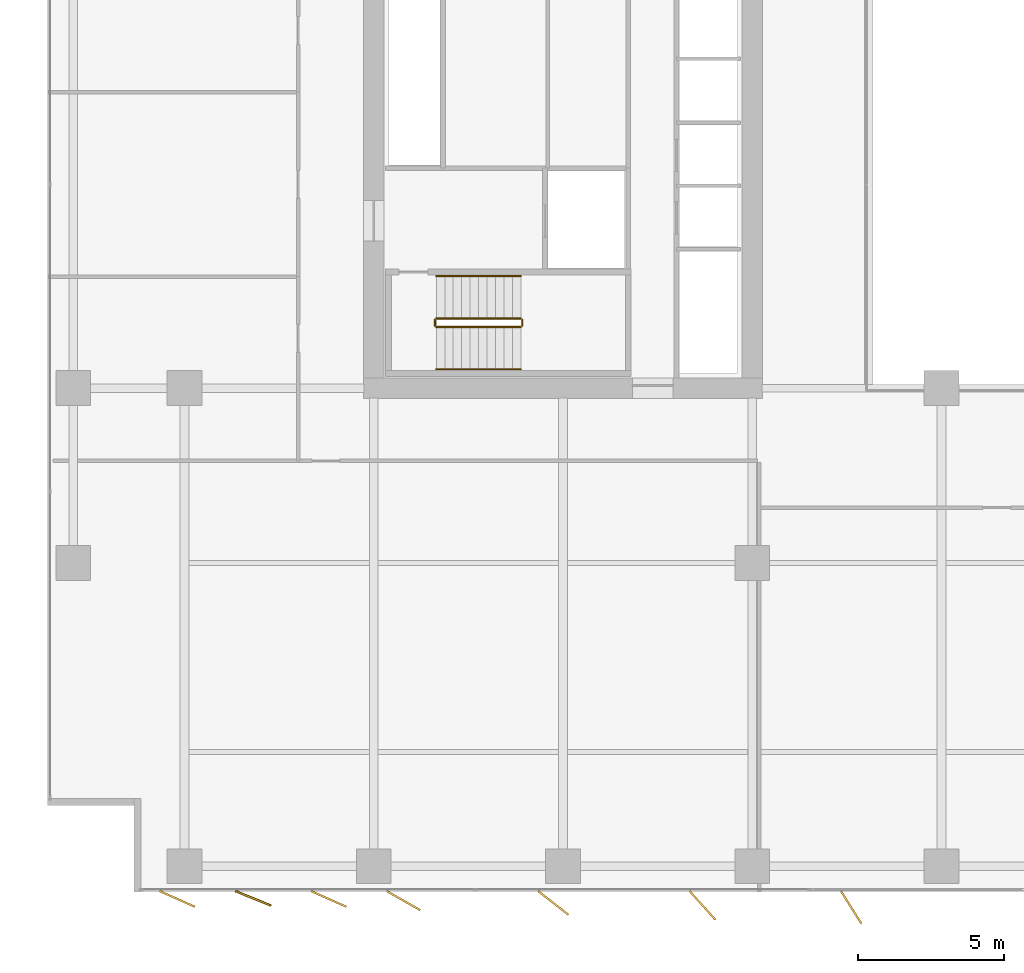
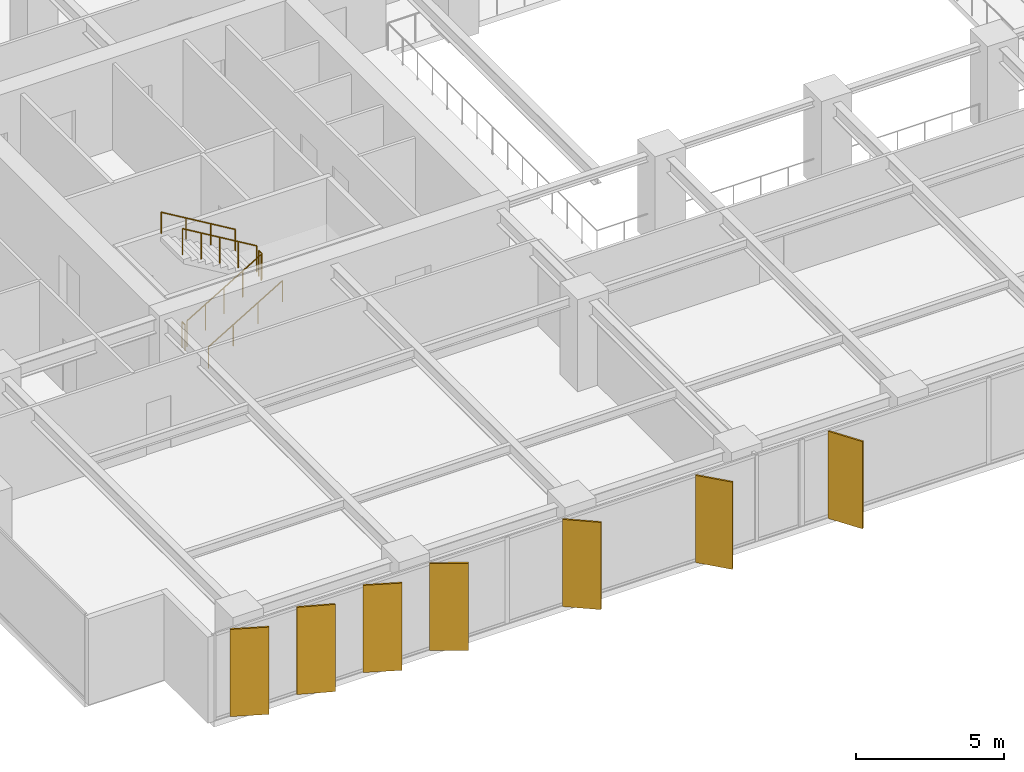
# One storey, part 17 of 20: 7 shading devices, 6 railings.
"""IFC4 building model written with IfcOpenShell, lengths in metres."""

import ifcopenshell
import ifcopenshell.guid

model = None  # the IFC model being written
_history = None  # IfcOwnerHistory: only IFC2X3 demands one
_inside = {}  # id of a spatial element -> (the spatial element, [elements in it])
_under = {}  # id of a project, library or spatial element -> (it, [spatial elements below it])
_declared = {}  # id of a project -> (the project, [libraries it declares])
_typed = {}  # id of a type object -> (the type object, [elements of that type])
_made_of = {}  # id of a material, layer set ... -> (it, [elements and type objects made of it])


def new_model(schema):
    """Start an empty IFC model of exactly this schema.

    Asked for "IFC4X3", IfcOpenShell would pick the latest addendum, in which some entities
    have other attributes; the version numbers below select the first issue.
    IFC2X3 requires an IfcOwnerHistory on every rooted entity: one is made here for all.
    """
    global model, _history
    if schema == "IFC4X3":
        model = ifcopenshell.file(schema_version=(4, 3, 0, 0))
    else:
        model = ifcopenshell.file(schema=schema)
    _inside.clear()
    _under.clear()
    _declared.clear()
    _typed.clear()
    _made_of.clear()
    _history = None
    if model.schema == "IFC2X3":
        org = make("IfcOrganization", Name="unknown")
        user = make(
            "IfcPersonAndOrganization",
            ThePerson=make("IfcPerson", FamilyName="unknown"),
            TheOrganization=org,
        )
        app = make(
            "IfcApplication",
            ApplicationDeveloper=org,
            Version="unknown",
            ApplicationFullName="unknown",
            ApplicationIdentifier="unknown",
        )
        _history = make(
            "IfcOwnerHistory",
            OwningUser=user,
            OwningApplication=app,
            ChangeAction="ADDED",
            CreationDate=0,
        )
    return model


def make(cls, **values):
    """One entity of the class cls with the attributes given. An attribute that is None is left unset."""
    return model.create_entity(
        cls, **{name: value for name, value in values.items() if value is not None}
    )


def rooted(cls, **values):
    """An entity with a GlobalId (a new one), such as an element, a storey or a relation."""
    return make(cls, GlobalId=ifcopenshell.guid.new(), OwnerHistory=_history, **values)


def si_unit(unit_type, name, prefix=None):
    """IfcSIUnit, for example si_unit("LENGTHUNIT", "METRE", prefix="MILLI")."""
    return make("IfcSIUnit", UnitType=unit_type, Prefix=prefix, Name=name)


def assignment(units):
    """IfcUnitAssignment: the units of a project."""
    return None if units is None else make("IfcUnitAssignment", Units=units)


def point(xyz):
    """IfcCartesianPoint."""
    return None if xyz is None else make("IfcCartesianPoint", Coordinates=xyz)


def direction(xyz):
    """IfcDirection."""
    return None if xyz is None else make("IfcDirection", DirectionRatios=xyz)


def frame(location, z_axis=None, x_axis=None):
    """IfcAxis2Placement3D, a coordinate frame: its origin and axes. An axis left out is left unset."""
    return make(
        "IfcAxis2Placement3D",
        Location=point(location),
        Axis=direction(z_axis),
        RefDirection=direction(x_axis),
    )


def frame_2d(location, x_axis=None):
    """IfcAxis2Placement2D, a coordinate frame in the plane: its origin and x axis."""
    return make(
        "IfcAxis2Placement2D", Location=point(location), RefDirection=direction(x_axis)
    )


def origin():
    """The frame at (0, 0, 0) with its axes left unset."""
    return frame((0.0, 0.0, 0.0))


def origin_2d():
    """The frame at (0, 0) in the plane with its x axis left unset."""
    return frame_2d((0.0, 0.0))


def place(relative_to, where):
    """IfcLocalPlacement: puts the frame where relative to a parent placement (None: the world)."""
    return make(
        "IfcLocalPlacement", PlacementRelTo=relative_to, RelativePlacement=where
    )


def context(
    kind, dimensions, precision=None, world=None, true_north=None, identifier=None
):
    """IfcGeometricRepresentationContext, for example the 3D "Model" context."""
    return make(
        "IfcGeometricRepresentationContext",
        ContextIdentifier=identifier,
        ContextType=kind,
        CoordinateSpaceDimension=dimensions,
        Precision=precision,
        WorldCoordinateSystem=world,
        TrueNorth=true_north,
    )


def subcontext(parent, identifier, kind, view, scale=None):
    """IfcGeometricRepresentationSubContext, for example "Body" below "Model"."""
    return make(
        "IfcGeometricRepresentationSubContext",
        ContextIdentifier=identifier,
        ContextType=kind,
        ParentContext=parent,
        TargetScale=scale,
        TargetView=view,
    )


def project(units=None, contexts=None):
    """IfcProject with its units and contexts."""
    return rooted(
        "IfcProject",
        Name="project",
        RepresentationContexts=contexts,
        UnitsInContext=assignment(units),
    )


def spatial(cls, under=None, at=None, **own):
    """A site, building, storey or space (cls), placed at a placement, below another one or the project."""
    s = rooted(cls, ObjectPlacement=at, **own)
    if under is not None:
        _under.setdefault(under.id(), (under, []))[1].append(s)
    return s


def profile(cls, at=None, kind="AREA", **sizes):
    """A parametric profile (cls). Its sizes go by their IFC names, for example OverallWidth=200.0."""
    return make(cls, ProfileType=kind, Position=at, **sizes)


def rectangle(**sizes):
    """IfcRectangleProfileDef."""
    return profile("IfcRectangleProfileDef", **sizes)


def circle(**sizes):
    """IfcCircleProfileDef."""
    return profile("IfcCircleProfileDef", **sizes)


def extrude(swept, where, along, depth):
    """IfcExtrudedAreaSolid: the profile swept, set in the frame where, extruded along a direction by depth."""
    return make(
        "IfcExtrudedAreaSolid",
        SweptArea=swept,
        Position=where,
        ExtrudedDirection=direction(along),
        Depth=depth,
    )


def shape(context_of_items, identifier, shape_type, items):
    """IfcShapeRepresentation: the items that make up one representation, for example the "Body"."""
    return make(
        "IfcShapeRepresentation",
        ContextOfItems=context_of_items,
        RepresentationIdentifier=identifier,
        RepresentationType=shape_type,
        Items=items,
    )


def material(Name=None, Category=None):
    """IfcMaterial."""
    return make("IfcMaterial", Name=Name, Category=Category)


def layer(
    of_material, thickness, ventilated=None, Name=None, Category=None, Priority=None
):
    """IfcMaterialLayer: one layer of a wall or slab, of a material (None: an air gap)."""
    return make(
        "IfcMaterialLayer",
        Material=of_material,
        LayerThickness=thickness,
        IsVentilated=ventilated,
        Name=Name,
        Category=Category,
        Priority=Priority,
    )


def layer_set(layers, Name=None):
    """IfcMaterialLayerSet."""
    return make("IfcMaterialLayerSet", MaterialLayers=layers, LayerSetName=Name)


def made_of(thing, what):
    """Note that an element or type object is made of a material, layer set ...; save() writes the relation."""
    if what is not None:
        _made_of.setdefault(what.id(), (what, []))[1].append(thing)
    return thing


def type_object(cls, material=None, **own):
    """A type object (cls), such as IfcWallType, which elements share."""
    return made_of(rooted(cls, **own), material)


def element(
    cls,
    number,
    at=None,
    inside=None,
    cuts=None,
    type_object=None,
    material=None,
    context=None,
    identifier="Body",
    shape_type=None,
    held_by="IfcProductDefinitionShape",
    body=None,
    shapes=None,
    **own,
):
    """One element of the class cls, such as IfcWall. Its Tag is "e" and its number.

    at: its placement. inside: the storey or other place that contains it. cuts: it is an
    opening in that element (IfcRelVoidsElement). A single representation is given by context,
    identifier, shape_type and body (its items); several are given by shapes. held_by: the class
    of the entity that holds the representations. save() writes the other relations.
    """
    e = rooted(cls, Tag="e%d" % number, ObjectPlacement=at, **own)
    if body is not None:
        shapes = [shape(context, identifier, shape_type, body)]
    if shapes is not None:
        e.Representation = make(held_by, Representations=shapes)
    if inside is not None:
        _inside.setdefault(inside.id(), (inside, []))[1].append(e)
    if cuts is not None:
        rooted(
            "IfcRelVoidsElement", RelatingBuildingElement=cuts, RelatedOpeningElement=e
        )
    if type_object is not None:
        _typed.setdefault(type_object.id(), (type_object, []))[1].append(e)
    return made_of(e, material)


def aggregate(whole, parts):
    """IfcRelAggregates: a whole, such as a stair, and the parts it consists of."""
    return rooted("IfcRelAggregates", RelatingObject=whole, RelatedObjects=parts)


def save(model, path):
    """Write the relations noted so far, then the file.

    IfcRelAggregates (storeys below a building ...), IfcRelContainedInSpatialStructure (elements
    in a storey), IfcRelDefinesByType, IfcRelAssociatesMaterial and IfcRelDeclares: one each for
    every whole, place, type object, material and project.
    """
    for whole, parts in _under.values():
        aggregate(whole, parts)
    for where, things in _inside.values():
        rooted(
            "IfcRelContainedInSpatialStructure",
            RelatedElements=things,
            RelatingStructure=where,
        )
    for kind, things in _typed.values():
        rooted("IfcRelDefinesByType", RelatedObjects=things, RelatingType=kind)
    for what, things in _made_of.values():
        rooted("IfcRelAssociatesMaterial", RelatedObjects=things, RelatingMaterial=what)
    for by, libraries in _declared.values():
        rooted("IfcRelDeclares", RelatingContext=by, RelatedDefinitions=libraries)
    model.write(path)


model = new_model("IFC4")

# Units and contexts
model_context = context("Model", 3, precision=1e-05, world=origin(), true_north=direction((0.0, 1.0)))
body_context = subcontext(model_context, "Body", "Model", "MODEL_VIEW")
ifc_project = project(units=[si_unit("LENGTHUNIT", "METRE"), si_unit("AREAUNIT", "SQUARE_METRE"), si_unit("VOLUMEUNIT", "CUBIC_METRE"), si_unit("PLANEANGLEUNIT", "RADIAN"), si_unit("MASSUNIT", "GRAM", prefix="KILO")], contexts=[model_context])

# Site, building, storey
site_placement = place(None, origin())
site = spatial("IfcSite", under=ifc_project, at=site_placement, CompositionType="ELEMENT")
building_placement = place(site_placement, origin())
building = spatial("IfcBuilding", under=site, at=building_placement, Name="Putna Gate Headquarters", CompositionType="ELEMENT")
storey_placement = place(building_placement, frame((0.0, 0.0, 89.800048828125)))
storey = spatial("IfcBuildingStorey", under=building, at=storey_placement, Name="L21", CompositionType="ELEMENT", Elevation=89.800048828125)

# Railings
ifc_material_1 = material(Name="Powder-coated steel stair guardrail", Category="steel")
railing_type_1 = type_object("IfcRailingType", Name="RAIL-STAIR-GUARD-1100", PredefinedType="GUARDRAIL", material=ifc_material_1)
railing_1_placement = place(storey_placement, frame((15.14990234375, 21.10009765625, 0.172607421875)))
element("IfcRailing", 1, at=railing_1_placement, inside=storey, type_object=railing_type_1, Name="L21 ST1 stair guard 1", PredefinedType="GUARDRAIL", context=body_context, shape_type="SweptSolid", body=[
    extrude(circle(Radius=0.02392578125, at=origin_2d()), frame((0.0, 0.0, 1.076171875), z_axis=(0.859160404282, 0.0, 0.51170636083), x_axis=(0.0, 1.0, 0.0)), (0.0, 0.0, 1.0), 3.37548828125),
    extrude(circle(Radius=0.02099609375, at=origin_2d()), origin(), (0.0, 0.0, 1.0), 1.052001953125),
    extrude(circle(Radius=0.02099609375, at=origin_2d()), frame((0.72509765625, 0.0, 0.431884765625)), (0.0, 0.0, 1.0), 1.052001953125),
    extrude(circle(Radius=0.02099609375, at=origin_2d()), frame((1.4501953125, 0.0, 0.86376953125)), (0.0, 0.0, 1.0), 1.052001953125),
    extrude(circle(Radius=0.02099609375, at=origin_2d()), frame((2.175048828125, 0.0, 1.29541015625)), (0.0, 0.0, 1.0), 1.052001953125),
    extrude(circle(Radius=0.02099609375, at=origin_2d()), frame((2.900146484375, 0.0, 1.727294921875)), (0.0, 0.0, 1.0), 1.052001953125),
])
railing_2_placement = place(storey_placement, frame((18.10009765625, 21.14990234375, 1.89990234375)))
element("IfcRailing", 2, at=railing_2_placement, inside=storey, type_object=railing_type_1, Name="L21 ST1 stair guard 2", PredefinedType="GUARDRAIL", context=body_context, shape_type="SweptSolid", body=[
    extrude(circle(Radius=0.02392578125, at=origin_2d()), frame((0.0, 0.0, 1.076171875), z_axis=(0.0, 1.0, 0.0), x_axis=(-1.0, 0.0, 0.0)), (0.0, 0.0, 1.0), 0.2001953125),
    extrude(circle(Radius=0.02099609375, at=origin_2d()), origin(), (0.0, 0.0, 1.0), 1.052001953125),
    extrude(circle(Radius=0.02099609375, at=origin_2d()), frame((0.0, 0.2001953125, 0.0)), (0.0, 0.0, 1.0), 1.052001953125),
])
railing_3_placement = place(storey_placement, frame((18.050048828125, 21.39990234375, 2.07275390625)))
element("IfcRailing", 3, at=railing_3_placement, inside=storey, type_object=railing_type_1, Name="L21 ST1 stair guard 3", PredefinedType="GUARDRAIL", context=body_context, shape_type="SweptSolid", body=[
    extrude(circle(Radius=0.02392578125, at=origin_2d()), frame((0.0, 0.0, 1.076171875), z_axis=(-0.859160404282, 0.0, 0.51170636083), x_axis=(0.0, -1.0, 0.0)), (0.0, 0.0, 1.0), 3.37548828125),
    extrude(circle(Radius=0.02099609375, at=origin_2d()), origin(), (0.0, 0.0, 1.0), 1.052001953125),
    extrude(circle(Radius=0.02099609375, at=origin_2d()), frame((-0.72509765625, 0.0, 0.431884765625)), (0.0, 0.0, 1.0), 1.052001953125),
    extrude(circle(Radius=0.02099609375, at=origin_2d()), frame((-1.4501953125, 0.0, 0.86376953125)), (0.0, 0.0, 1.0), 1.052001953125),
    extrude(circle(Radius=0.02099609375, at=origin_2d()), frame((-2.175048828125, 0.0, 1.29541015625)), (0.0, 0.0, 1.0), 1.052001953125),
    extrude(circle(Radius=0.02099609375, at=origin_2d()), frame((-2.900146484375, 0.0, 1.727294921875)), (0.0, 0.0, 1.0), 1.052001953125),
])
railing_4_placement = place(storey_placement, frame((15.10009765625, 21.14990234375, 0.0)))
element("IfcRailing", 4, at=railing_4_placement, inside=storey, type_object=railing_type_1, Name="L21 ST1 stair guard 4", PredefinedType="GUARDRAIL", context=body_context, shape_type="SweptSolid", body=[
    extrude(circle(Radius=0.02392578125, at=origin_2d()), frame((0.0, 0.0, 1.076171875), z_axis=(0.0, 1.0, 0.0), x_axis=(-1.0, 0.0, 0.0)), (0.0, 0.0, 1.0), 0.2001953125),
    extrude(circle(Radius=0.02099609375, at=origin_2d()), origin(), (0.0, 0.0, 1.0), 1.052001953125),
    extrude(circle(Radius=0.02099609375, at=origin_2d()), frame((0.0, 0.2001953125, 0.0)), (0.0, 0.0, 1.0), 1.052001953125),
])
ifc_material_2 = material(Name="Brushed stainless steel handrail", Category="steel")
railing_type_2 = type_object("IfcRailingType", Name="RAIL-STAIR-HAND-900", PredefinedType="HANDRAIL", material=ifc_material_2)
railing_5_placement = place(storey_placement, frame((15.14990234375, 19.64990234375, 0.172607421875)))
element("IfcRailing", 5, at=railing_5_placement, inside=storey, type_object=railing_type_2, Name="L21 ST1 stair handrail 1", PredefinedType="HANDRAIL", context=body_context, shape_type="SweptSolid", body=[
    extrude(circle(Radius=0.02392578125, at=origin_2d()), frame((0.0, 0.0, 0.8759765625), z_axis=(0.859160404282, 0.0, 0.51170636083), x_axis=(0.0, 1.0, 0.0)), (0.0, 0.0, 1.0), 3.37548828125),
    extrude(circle(Radius=0.02099609375, at=origin_2d()), origin(), (0.0, 0.0, 1.0), 0.851806640625),
    extrude(circle(Radius=0.02099609375, at=origin_2d()), frame((0.966796875, 0.0, 0.57568359375)), (0.0, 0.0, 1.0), 0.851806640625),
    extrude(circle(Radius=0.02099609375, at=origin_2d()), frame((1.933349609375, 0.0, 1.151611328125)), (0.0, 0.0, 1.0), 0.851806640625),
    extrude(circle(Radius=0.02099609375, at=origin_2d()), frame((2.900146484375, 0.0, 1.727294921875)), (0.0, 0.0, 1.0), 0.851806640625),
])
railing_6_placement = place(storey_placement, frame((18.050048828125, 22.85009765625, 2.07275390625)))
element("IfcRailing", 6, at=railing_6_placement, inside=storey, type_object=railing_type_2, Name="L21 ST1 stair handrail 2", PredefinedType="HANDRAIL", context=body_context, shape_type="SweptSolid", body=[
    extrude(circle(Radius=0.02392578125, at=origin_2d()), frame((0.0, 0.0, 0.8759765625), z_axis=(-0.859160404282, 0.0, 0.51170636083), x_axis=(0.0, -1.0, 0.0)), (0.0, 0.0, 1.0), 3.37548828125),
    extrude(circle(Radius=0.02099609375, at=origin_2d()), origin(), (0.0, 0.0, 1.0), 0.851806640625),
    extrude(circle(Radius=0.02099609375, at=origin_2d()), frame((-0.966796875, 0.0, 0.57568359375)), (0.0, 0.0, 1.0), 0.851806640625),
    extrude(circle(Radius=0.02099609375, at=origin_2d()), frame((-1.933349609375, 0.0, 1.151611328125)), (0.0, 0.0, 1.0), 0.851806640625),
    extrude(circle(Radius=0.02099609375, at=origin_2d()), frame((-2.900146484375, 0.0, 1.727294921875)), (0.0, 0.0, 1.0), 0.851806640625),
])

# Shading devices
ifc_material_3 = material(Name="Anodised architectural bronze aluminium fin", Category="aluminium")
ifc_layer = layer(ifc_material_3, 0.06494140625)
ifc_layer_set = layer_set([ifc_layer], Name="Anodised architectural bronze aluminium fin")
shading_device_type = type_object("IfcShadingDeviceType", Name="SHADE-BRONZE-FIN-1320", PredefinedType="USERDEFINED", material=ifc_layer_set)
for number, where, z_axis, x_axis, name in (
    (7, (6.2529296875, 1.456787109375, -0.02001953125), (0.0, 0.0, 1.0), (0.913687379856, -0.40641773078, 0.0), "L21 Bronze Vertical Shading Fin S1"),
    (8, (8.86181640625, 1.477783203125, -0.02001953125), (0.0, 0.0, 1.0), (0.927183854567, -0.374606593416, 0.0), "L21 Bronze Vertical Shading Fin S2"),
    (9, (11.452880859375, 1.456787109375, -0.02001953125), (0.0, 0.0, 1.0), (0.913687379856, -0.40641773078, 0.0), "L21 Bronze Vertical Shading Fin S3"),
    (10, (14.023681640625, 1.398681640625, -0.02001953125), (0.0, 0.0, 1.0), (0.869322458298, -0.494245347472, 0.0), "L21 Bronze Vertical Shading Fin S4"),
    (11, (19.169677734375, 1.318115234375, -0.02001953125), (0.0, 0.0, 1.0), (0.787473187632, -0.616348909921, 0.0), "L21 Bronze Vertical Shading Fin S5"),
    (12, (24.29150390625, 1.234619140625, -0.02001953125), (0.0, 0.0, 1.0), (0.669130606359, -0.743144825477, 0.0), "L21 Bronze Vertical Shading Fin S6"),
    (13, (29.400146484375, 1.16552734375, -0.02001953125), (0.0, 0.0, 1.0), (0.530659123936, -0.847585331506, 0.0), "L21 Bronze Vertical Shading Fin S7"),
):
    element("IfcShadingDevice", number, at=place(storey_placement, frame(where, z_axis=z_axis, x_axis=x_axis)), inside=storey, type_object=shading_device_type, Name=name, ObjectType="FIN", PredefinedType="USERDEFINED", context=body_context, shape_type="SweptSolid", body=[
        extrude(rectangle(XDim=1.320068359375, YDim=0.06494140625, at=origin_2d()), origin(), (0.0, 0.0, 1.0), 3.60498046875),
    ])

save(model, "model.ifc")
